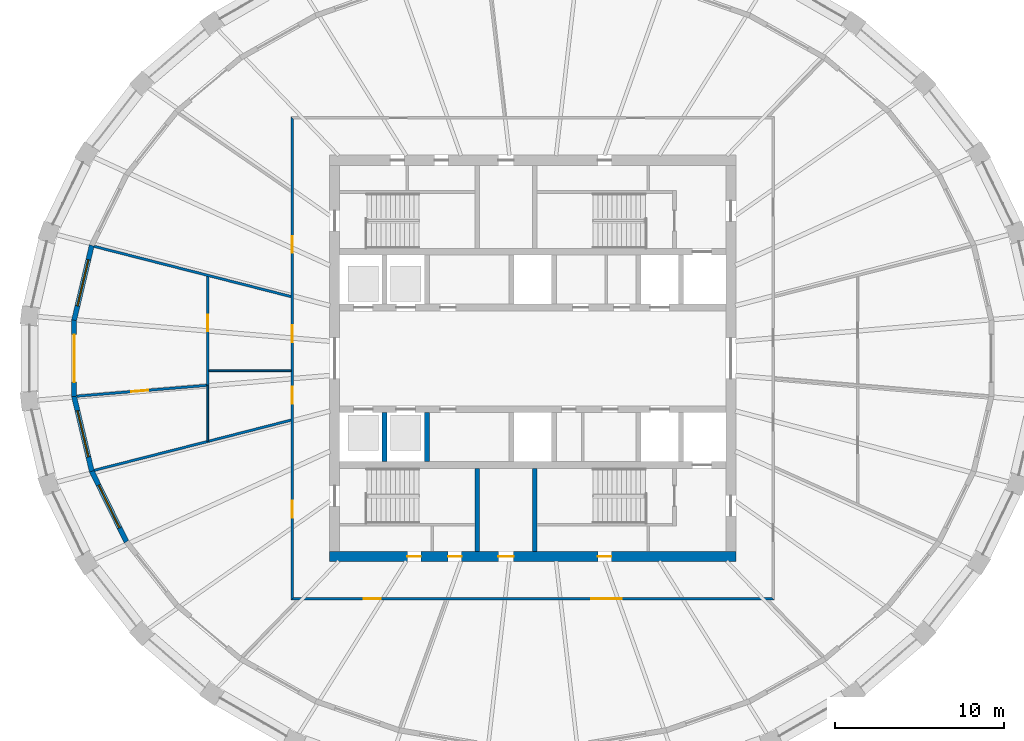
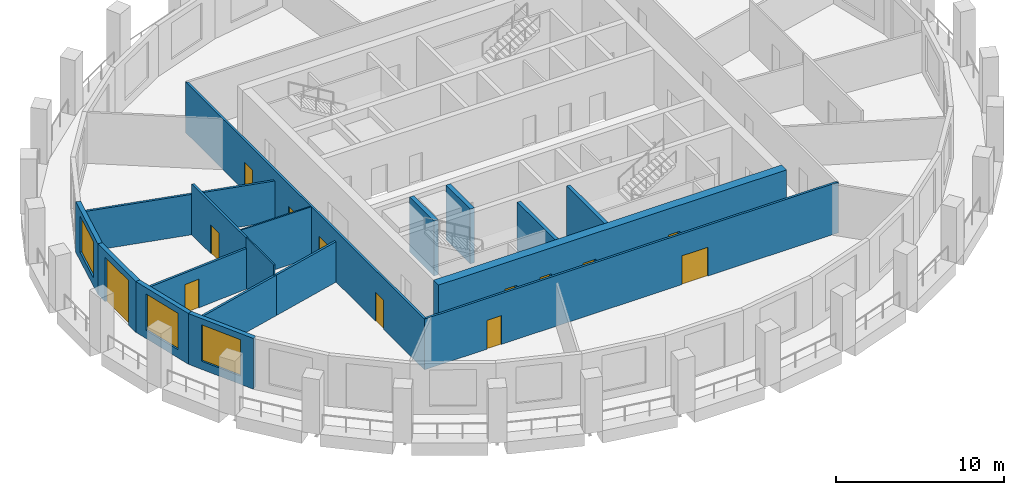
# One storey, part 3 of 10: 18 walls, 13 doors, 3 windows, 16 openings.
"""IFC4 building model written with IfcOpenShell, lengths in metres."""

from ifc_helpers import new_model, si_unit, direction, frame, frame_2d, origin, place, context, subcontext, project, spatial, polyline, rectangle, outline, extrude, material, layer, layer_set, type_object, element, fill, save


model = new_model("IFC4")

# Units and contexts
model_context = context("Model", 3, precision=1e-05, world=origin(), true_north=direction((0.0, 1.0)))
body_context = subcontext(model_context, "Body", "Model", "MODEL_VIEW")
ifc_project = project(units=[si_unit("LENGTHUNIT", "METRE"), si_unit("AREAUNIT", "SQUARE_METRE"), si_unit("VOLUMEUNIT", "CUBIC_METRE"), si_unit("PLANEANGLEUNIT", "RADIAN"), si_unit("MASSUNIT", "GRAM", prefix="KILO")], contexts=[model_context])

# Site, building, storey
site_placement = place(None, origin())
site = spatial("IfcSite", under=ifc_project, at=site_placement, CompositionType="ELEMENT")
building_placement = place(site_placement, origin())
building = spatial("IfcBuilding", under=site, at=building_placement, Name="Halqa Exchange Tower", CompositionType="ELEMENT")
storey_placement = place(building_placement, frame((0.0, 0.0, 268.300048828125)))
storey = spatial("IfcBuildingStorey", under=building, at=storey_placement, Name="L62", CompositionType="ELEMENT", Elevation=268.300048828125)

# Wall, opening, door
ifc_material_1 = material(Name="Gypsum board")
ifc_layer_1 = layer(ifc_material_1, 0.14990234375)
ifc_layer_set_1 = layer_set([ifc_layer_1], Name="Gypsum board")
wall_type_1 = type_object("IfcWallType", Name="Acoustic partition 150", PredefinedType="PARTITIONING", material=ifc_layer_set_1)
wall_1_placement = place(storey_placement, frame((-19.25634765625, -1.5947265625, 0.0), z_axis=(0.0, 0.0, 1.0), x_axis=(-0.996545321007, -0.083050726542, 0.0)))
wall_1 = element("IfcWall", 1, at=wall_1_placement, inside=storey, type_object=wall_type_1, Name="L62-PWL-005", PredefinedType="PARTITIONING", context=body_context, shape_type="SweptSolid", body=[
    extrude(outline(polyline([(7.701904296875, -0.074951171875), (7.701904296875, 0.043212890625), (7.697265625, 0.074951171875), (5.77294921875, 0.074951171875), (3.8486328125, 0.074951171875), (1.92431640625, 0.074951171875), (0.0, 0.074951171875), (0.0, -0.004638671875), (0.018310546875, -0.00634765625), (0.012451171875, -0.074951171875), (1.934814453125, -0.074951171875), (3.857177734375, -0.074951171875), (5.779541015625, -0.074951171875), (7.701904296875, -0.074951171875)])), origin(), (0.0, 0.0, 1.0), 2.947021484375),
])
opening_1_placement = place(wall_1_placement, frame((3.477294921875, 0.0, 0.0)))
opening_1 = element("IfcOpeningElement", 2, at=opening_1_placement, cuts=wall_1, Name="Opening 19-14", PredefinedType="OPENING", context=body_context, shape_type="SweptSolid", body=[
    extrude(rectangle(XDim=1.0, YDim=2.10009765625, at=frame_2d((0.5, 1.050048828125))), frame((0.0, 0.0869140625, 0.0), z_axis=(0.0, -1.0, 0.0), x_axis=(1.0, 0.0, 0.0)), (0.0, 0.0, 1.0), 0.173828125),
])
ifc_material_2 = material(Name="Timber door leaf", Category="wood")
door_type_1 = type_object("IfcDoorType", Name="Acoustic door 1000 x 2100", OperationType="SINGLE_SWING_LEFT", PredefinedType="DOOR", material=ifc_material_2)
door_1_placement = place(opening_1_placement, origin())
door_1 = element("IfcDoor", 3, at=door_1_placement, inside=storey, type_object=door_type_1, Name="L62-IDR-014", OperationType="SINGLE_SWING_LEFT", OverallHeight=2.10009765625, OverallWidth=1.0, PredefinedType="DOOR", context=body_context, shape_type="SweptSolid", body=[
    extrude(rectangle(XDim=1.0, YDim=2.10009765625, at=frame_2d((0.5, 1.050048828125))), frame((0.0, 0.02490234375, 0.0), z_axis=(0.0, -1.0, 0.0), x_axis=(1.0, 0.0, 0.0)), (0.0, 0.0, 1.0), 0.050048828125),
])
fill(opening_1, door_1)

wall_2_placement = place(storey_placement, frame((-19.199951171875, -1.590087890625, 0.0), z_axis=(0.0, 0.0, 1.0), x_axis=(0.0, 1.0, 0.0)))
wall_2 = element("IfcWall", 4, at=wall_2_placement, inside=storey, type_object=wall_type_1, Name="L62-PWL-006", PredefinedType="PARTITIONING", context=body_context, shape_type="SweptSolid", body=[
    extrude(outline(polyline([(0.0, -0.074951171875), (0.81005859375, -0.074951171875), (0.91015625, -0.074951171875), (2.739501953125, -0.074951171875), (4.569091796875, -0.074951171875), (6.398681640625, -0.074951171875), (6.4365234375, 0.07373046875), (6.4365234375, 0.074951171875), (4.8447265625, 0.074951171875), (3.252685546875, 0.074951171875), (1.660888671875, 0.074951171875), (0.069091796875, 0.074951171875), (0.070068359375, 0.0625), (0.0, 0.056640625), (0.0, 0.050048828125), (0.0, 0.050048828125), (0.0, -0.050048828125), (0.0, -0.050048828125), (0.0, -0.074951171875)])), origin(), (0.0, 0.0, 1.0), 3.699951171875),
])
opening_2_placement = place(wall_2_placement, frame((3.179931640625, 0.0, 0.0)))
opening_2 = element("IfcOpeningElement", 5, at=opening_2_placement, cuts=wall_2, Name="Opening 19-13", PredefinedType="OPENING", context=body_context, shape_type="SweptSolid", body=[
    extrude(rectangle(XDim=1.0, YDim=2.10009765625, at=frame_2d((0.5, 1.050048828125))), frame((0.0, 0.0869140625, 0.0), z_axis=(0.0, -1.0, 0.0), x_axis=(1.0, 0.0, 0.0)), (0.0, 0.0, 1.0), 0.173828125),
])
door_2_placement = place(opening_2_placement, frame((1.0, 0.0, 0.0), z_axis=(0.0, 0.0, 1.0), x_axis=(-1.0, 0.0, 0.0)))
door_2 = element("IfcDoor", 6, at=door_2_placement, inside=storey, type_object=door_type_1, Name="L62-IDR-013", OperationType="SINGLE_SWING_RIGHT", OverallHeight=2.10009765625, OverallWidth=1.0, PredefinedType="DOOR", context=body_context, shape_type="SweptSolid", body=[
    extrude(rectangle(XDim=1.0, YDim=2.10009765625, at=frame_2d((0.5, 1.050048828125))), frame((0.0, 0.02490234375, 0.0), z_axis=(0.0, -1.0, 0.0), x_axis=(1.0, 0.0, 0.0)), (0.0, 0.0, 1.0), 0.050048828125),
])
fill(opening_2, door_2)

# Walls
ifc_material_3 = material(Name="Fire-rated gypsum board")
ifc_layer_2 = layer(ifc_material_3, 0.14990234375)
ifc_layer_set_2 = layer_set([ifc_layer_2], Name="Fire-rated gypsum board")
wall_type_2 = type_object("IfcWallType", Name="Fire partition EI 60 150", PredefinedType="PARTITIONING", material=ifc_layer_set_2)
wall_3_placement = place(storey_placement, frame((-25.90234375, -6.6142578125, 0.0), z_axis=(0.0, 0.0, 1.0), x_axis=(0.969153959709, 0.246456086108, 0.0)))
element("IfcWall", 7, at=wall_3_placement, inside=storey, type_object=wall_type_2, Name="L62-PWL-001", PredefinedType="PARTITIONING", context=body_context, shape_type="SweptSolid", body=[
    extrude(outline(polyline([(0.01318359375, -0.074951171875), (1.75634765625, -0.074951171875), (3.49951171875, -0.074951171875), (5.24267578125, -0.074951171875), (6.98583984375, -0.074951171875), (6.985595703125, 0.07177734375), (6.966552734375, -0.002685546875), (6.86962890625, 0.02197265625), (6.883056640625, 0.074951171875), (5.162353515625, 0.074951171875), (3.441650390625, 0.074951171875), (1.720703125, 0.074951171875), (0.0, 0.074951171875), (0.0, -0.011962890625), (0.01318359375, -0.074951171875)])), origin(), (0.0, 0.0, 1.0), 2.947021484375),
])
wall_4_placement = place(storey_placement, frame((-25.90234375, 6.6142578125, 0.0), z_axis=(0.0, 0.0, 1.0), x_axis=(0.968990601513, -0.247097580277, 0.0)))
element("IfcWall", 8, at=wall_4_placement, inside=storey, type_object=wall_type_2, Name="L62-PWL-002", PredefinedType="PARTITIONING", context=body_context, shape_type="SweptSolid", body=[
    extrude(outline(polyline([(0.0, -0.074951171875), (1.751953125, -0.074951171875), (3.50390625, -0.074951171875), (5.255859375, -0.074951171875), (7.0078125, -0.074951171875), (7.012939453125, -0.07373046875), (7.013427734375, -0.074951171875), (8.681640625, -0.074951171875), (10.35009765625, -0.074951171875), (12.0185546875, -0.074951171875), (11.980224609375, 0.074951171875), (9.98583984375, 0.074951171875), (7.9912109375, 0.074951171875), (5.996826171875, 0.074951171875), (4.002197265625, 0.074951171875), (2.0078125, 0.074951171875), (0.01318359375, 0.074951171875), (0.0, 0.011962890625), (0.0, -0.074951171875)])), origin(), (0.0, 0.0, 1.0), 2.947021484375),
])
wall_5_placement = place(storey_placement, frame((-19.132080078125, -4.892578125, 0.0), z_axis=(0.0, 0.0, 1.0), x_axis=(0.968763144659, 0.247987841537, 0.0)))
element("IfcWall", 9, at=wall_5_placement, inside=storey, type_object=wall_type_2, Name="L62-PWL-003", PredefinedType="PARTITIONING", context=body_context, shape_type="SweptSolid", body=[
    extrude(outline(polyline([(0.0, -0.074951171875), (1.664794921875, -0.074951171875), (3.32958984375, -0.074951171875), (4.994384765625, -0.074951171875), (5.03271484375, 0.07421875), (5.03271484375, 0.074951171875), (3.35546875, 0.074951171875), (1.677978515625, 0.074951171875), (0.000732421875, 0.074951171875), (0.0, 0.072265625), (0.0, -0.074951171875)])), origin(), (0.0, 0.0, 1.0), 2.947021484375),
])

# Wall, openings, doors
wall_6_placement = place(storey_placement, frame((-14.199951171875, -14.27490234375, 0.0), z_axis=(0.0, 0.0, 1.0), x_axis=(0.0, 1.0, 0.0)))
wall_6 = element("IfcWall", 10, at=wall_6_placement, inside=storey, type_object=wall_type_2, Name="L62-PWL-008", PredefinedType="PARTITIONING", context=body_context, shape_type="SweptSolid", body=[
    extrude(outline(polyline([(0.14990234375, -0.074951171875), (2.033203125, -0.074951171875), (3.91650390625, -0.074951171875), (5.7998046875, -0.074951171875), (7.683349609375, -0.074951171875), (9.566650390625, -0.074951171875), (11.449951171875, -0.074951171875), (13.333251953125, -0.074951171875), (15.216552734375, -0.074951171875), (17.099853515625, -0.074951171875), (18.983154296875, -0.074951171875), (20.866455078125, -0.074951171875), (22.75, -0.074951171875), (24.63330078125, -0.074951171875), (26.5166015625, -0.074951171875), (28.39990234375, -0.074951171875), (28.5498046875, 0.074951171875), (28.5498046875, 0.074951171875), (26.646484375, 0.074951171875), (24.7431640625, 0.074951171875), (22.83984375, 0.074951171875), (20.9365234375, 0.074951171875), (19.033203125, 0.074951171875), (17.1298828125, 0.074951171875), (15.2265625, 0.074951171875), (13.3232421875, 0.074951171875), (11.419921875, 0.074951171875), (9.5166015625, 0.074951171875), (7.61328125, 0.074951171875), (5.7099609375, 0.074951171875), (3.806640625, 0.074951171875), (1.9033203125, 0.074951171875), (0.0, 0.074951171875), (0.14990234375, -0.074951171875)])), origin(), (0.0, 0.0, 1.0), 3.699951171875),
])
opening_3_placement = place(wall_6_placement, frame((20.5, 0.0, 0.0)))
opening_3 = element("IfcOpeningElement", 11, at=opening_3_placement, cuts=wall_6, Name="Opening 19-02", PredefinedType="OPENING", context=body_context, shape_type="SweptSolid", body=[
    extrude(rectangle(XDim=1.0, YDim=2.10009765625, at=frame_2d((0.5, 1.050048828125))), frame((0.0, 0.0869140625, 0.0), z_axis=(0.0, -1.0, 0.0), x_axis=(1.0, 0.0, 0.0)), (0.0, 0.0, 1.0), 0.173828125),
])
opening_4_placement = place(wall_6_placement, frame((11.594970703125, 0.0, 0.0)))
opening_4 = element("IfcOpeningElement", 12, at=opening_4_placement, cuts=wall_6, Name="Opening 19-03", PredefinedType="OPENING", context=body_context, shape_type="SweptSolid", body=[
    extrude(rectangle(XDim=1.0, YDim=2.10009765625, at=frame_2d((0.5, 1.050048828125))), frame((0.0, 0.0869140625, 0.0), z_axis=(0.0, -1.0, 0.0), x_axis=(1.0, 0.0, 0.0)), (0.0, 0.0, 1.0), 0.173828125),
])
opening_5_placement = place(wall_6_placement, frame((15.22509765625, 0.0, 0.0)))
opening_5 = element("IfcOpeningElement", 13, at=opening_5_placement, cuts=wall_6, Name="Opening 19-04", PredefinedType="OPENING", context=body_context, shape_type="SweptSolid", body=[
    extrude(rectangle(XDim=1.0, YDim=2.10009765625, at=frame_2d((0.5, 1.050048828125))), frame((0.0, 0.0869140625, 0.0), z_axis=(0.0, -1.0, 0.0), x_axis=(1.0, 0.0, 0.0)), (0.0, 0.0, 1.0), 0.173828125),
])
opening_6_placement = place(wall_6_placement, frame((4.860107421875, 0.0, 0.0)))
opening_6 = element("IfcOpeningElement", 14, at=opening_6_placement, cuts=wall_6, Name="Opening 19-05", PredefinedType="OPENING", context=body_context, shape_type="SweptSolid", body=[
    extrude(rectangle(XDim=1.0, YDim=2.10009765625, at=frame_2d((0.5, 1.050048828125))), frame((0.0, 0.0869140625, 0.0), z_axis=(0.0, -1.0, 0.0), x_axis=(1.0, 0.0, 0.0)), (0.0, 0.0, 1.0), 0.173828125),
])
ifc_material_4 = material(Name="Steel fire door leaf", Category="steel")
door_type_2 = type_object("IfcDoorType", Name="Fire door FD30S 1000 x 2100", OperationType="SINGLE_SWING_LEFT", PredefinedType="DOOR", material=ifc_material_4)
door_3_placement = place(opening_3_placement, origin())
door_3 = element("IfcDoor", 15, at=door_3_placement, inside=storey, type_object=door_type_2, Name="L62-IDR-002", OperationType="SINGLE_SWING_RIGHT", OverallHeight=2.10009765625, OverallWidth=1.0, PredefinedType="DOOR", context=body_context, shape_type="SweptSolid", body=[
    extrude(rectangle(XDim=1.0, YDim=2.10009765625, at=frame_2d((0.5, 1.050048828125))), frame((0.0, 0.02490234375, 0.0), z_axis=(0.0, -1.0, 0.0), x_axis=(1.0, 0.0, 0.0)), (0.0, 0.0, 1.0), 0.050048828125),
])
fill(opening_3, door_3)
door_4_placement = place(opening_4_placement, origin())
door_4 = element("IfcDoor", 16, at=door_4_placement, inside=storey, type_object=door_type_2, Name="L62-IDR-003", OperationType="SINGLE_SWING_RIGHT", OverallHeight=2.10009765625, OverallWidth=1.0, PredefinedType="DOOR", context=body_context, shape_type="SweptSolid", body=[
    extrude(rectangle(XDim=1.0, YDim=2.10009765625, at=frame_2d((0.5, 1.050048828125))), frame((0.0, 0.02490234375, 0.0), z_axis=(0.0, -1.0, 0.0), x_axis=(1.0, 0.0, 0.0)), (0.0, 0.0, 1.0), 0.050048828125),
])
fill(opening_4, door_4)
door_5_placement = place(opening_5_placement, origin())
door_5 = element("IfcDoor", 17, at=door_5_placement, inside=storey, type_object=door_type_2, Name="L62-IDR-004", OperationType="SINGLE_SWING_LEFT", OverallHeight=2.10009765625, OverallWidth=1.0, PredefinedType="DOOR", context=body_context, shape_type="SweptSolid", body=[
    extrude(rectangle(XDim=1.0, YDim=2.10009765625, at=frame_2d((0.5, 1.050048828125))), frame((0.0, 0.02490234375, 0.0), z_axis=(0.0, -1.0, 0.0), x_axis=(1.0, 0.0, 0.0)), (0.0, 0.0, 1.0), 0.050048828125),
])
fill(opening_5, door_5)
door_6_placement = place(opening_6_placement, origin())
door_6 = element("IfcDoor", 18, at=door_6_placement, inside=storey, type_object=door_type_2, Name="L62-IDR-005", OperationType="SINGLE_SWING_LEFT", OverallHeight=2.10009765625, OverallWidth=1.0, PredefinedType="DOOR", context=body_context, shape_type="SweptSolid", body=[
    extrude(rectangle(XDim=1.0, YDim=2.10009765625, at=frame_2d((0.5, 1.050048828125))), frame((0.0, 0.02490234375, 0.0), z_axis=(0.0, -1.0, 0.0), x_axis=(1.0, 0.0, 0.0)), (0.0, 0.0, 1.0), 0.050048828125),
])
fill(opening_6, door_6)

wall_7_placement = place(storey_placement, frame((-14.27490234375, -14.199951171875, 0.0), z_axis=(0.0, 0.0, 1.0), x_axis=(1.0, 0.0, 0.0)))
wall_7 = element("IfcWall", 19, at=wall_7_placement, inside=storey, type_object=wall_type_2, Name="L62-PWL-009", PredefinedType="PARTITIONING", context=body_context, shape_type="SweptSolid", body=[
    extrude(outline(polyline([(28.5498046875, -0.074951171875), (28.5498046875, -0.074951171875), (28.39990234375, 0.074951171875), (26.5166015625, 0.074951171875), (24.63330078125, 0.074951171875), (22.75, 0.074951171875), (20.866455078125, 0.074951171875), (18.983154296875, 0.074951171875), (17.099853515625, 0.074951171875), (15.216552734375, 0.074951171875), (13.333251953125, 0.074951171875), (11.449951171875, 0.074951171875), (9.566650390625, 0.074951171875), (7.683349609375, 0.074951171875), (5.7998046875, 0.074951171875), (3.91650390625, 0.074951171875), (2.033203125, 0.074951171875), (0.14990234375, 0.074951171875), (0.0, -0.074951171875), (1.9033203125, -0.074951171875), (3.806640625, -0.074951171875), (5.7099609375, -0.074951171875), (7.61328125, -0.074951171875), (9.5166015625, -0.074951171875), (11.419921875, -0.074951171875), (13.3232421875, -0.074951171875), (15.2265625, -0.074951171875), (17.1298828125, -0.074951171875), (19.033203125, -0.074951171875), (20.9365234375, -0.074951171875), (22.83984375, -0.074951171875), (24.7431640625, -0.074951171875), (26.646484375, -0.074951171875), (28.5498046875, -0.074951171875)])), origin(), (0.0, 0.0, 1.0), 3.699951171875),
])
opening_7_placement = place(wall_7_placement, frame((4.304931640625, 0.0, 0.0)))
opening_7 = element("IfcOpeningElement", 20, at=opening_7_placement, cuts=wall_7, Name="Opening 19-06", PredefinedType="OPENING", context=body_context, shape_type="SweptSolid", body=[
    extrude(rectangle(XDim=1.0, YDim=2.10009765625, at=frame_2d((0.5, 1.050048828125))), frame((0.0, 0.0869140625, 0.0), z_axis=(0.0, -1.0, 0.0), x_axis=(1.0, 0.0, 0.0)), (0.0, 0.0, 1.0), 0.173828125),
])
opening_8_placement = place(wall_7_placement, frame((17.735107421875, 0.0, 0.0)))
opening_8 = element("IfcOpeningElement", 21, at=opening_8_placement, cuts=wall_7, Name="Opening 19-07", PredefinedType="OPENING", context=body_context, shape_type="SweptSolid", body=[
    extrude(rectangle(XDim=1.800048828125, YDim=2.10009765625, at=frame_2d((0.89990234375, 1.050048828125))), frame((0.0, 0.0869140625, 0.0), z_axis=(0.0, -1.0, 0.0), x_axis=(1.0, 0.0, 0.0)), (0.0, 0.0, 1.0), 0.173828125),
])
door_7_placement = place(opening_7_placement, frame((1.0, 0.0, 0.0), z_axis=(0.0, 0.0, 1.0), x_axis=(-1.0, 0.0, 0.0)))
door_7 = element("IfcDoor", 22, at=door_7_placement, inside=storey, type_object=door_type_2, Name="L62-IDR-006", OperationType="SINGLE_SWING_RIGHT", OverallHeight=2.10009765625, OverallWidth=1.0, PredefinedType="DOOR", context=body_context, shape_type="SweptSolid", body=[
    extrude(rectangle(XDim=1.0, YDim=2.10009765625, at=frame_2d((0.5, 1.050048828125))), frame((0.0, 0.02490234375, 0.0), z_axis=(0.0, -1.0, 0.0), x_axis=(1.0, 0.0, 0.0)), (0.0, 0.0, 1.0), 0.050048828125),
])
fill(opening_7, door_7)
door_type_3 = type_object("IfcDoorType", Name="Fire door FD30S double 1800 x 2100", OperationType="DOUBLE_DOOR_SINGLE_SWING", PredefinedType="DOOR", material=ifc_material_4)
door_8_placement = place(opening_8_placement, frame((1.800048828125, 0.0, 0.0), z_axis=(0.0, 0.0, 1.0), x_axis=(-1.0, 0.0, 0.0)))
door_8 = element("IfcDoor", 23, at=door_8_placement, inside=storey, type_object=door_type_3, Name="L62-IDR-007", OperationType="DOUBLE_DOOR_SINGLE_SWING", OverallHeight=2.10009765625, OverallWidth=1.800048828125, PredefinedType="DOOR", context=body_context, shape_type="SweptSolid", body=[
    extrude(rectangle(XDim=1.800048828125, YDim=2.10009765625, at=frame_2d((0.89990234375, 1.050048828125))), frame((0.0, 0.02490234375, 0.0), z_axis=(0.0, -1.0, 0.0), x_axis=(1.0, 0.0, 0.0)), (0.0, 0.0, 1.0), 0.050048828125),
])
fill(opening_8, door_8)

# Walls
ifc_layer_3 = layer(ifc_material_1, 0.10009765625)
ifc_layer_set_3 = layer_set([ifc_layer_3], Name="Gypsum board")
wall_type_3 = type_object("IfcWallType", Name="Partition 100 gypsum", PredefinedType="PARTITIONING", material=ifc_layer_set_3)
wall_8_placement = place(storey_placement, frame((-19.199951171875, -4.89990234375, 0.0), z_axis=(0.0, 0.0, 1.0), x_axis=(0.0, 1.0, 0.0)))
element("IfcWall", 24, at=wall_8_placement, inside=storey, type_object=wall_type_3, Name="L62-PWL-004", PredefinedType="PARTITIONING", context=body_context, shape_type="SweptSolid", body=[
    extrude(rectangle(XDim=3.309814453125, YDim=0.10009765625, at=frame_2d((1.65478515625, 0.0))), origin(), (0.0, 0.0, 1.0), 3.699951171875),
])
wall_9_placement = place(storey_placement, frame((-19.125, -0.72998046875, 0.0), z_axis=(0.0, 0.0, 1.0), x_axis=(1.0, 0.0, 0.0)))
element("IfcWall", 25, at=wall_9_placement, inside=storey, type_object=wall_type_3, Name="L62-PWL-007", PredefinedType="PARTITIONING", context=body_context, shape_type="SweptSolid", body=[
    extrude(rectangle(XDim=4.85009765625, YDim=0.10009765625, at=frame_2d((2.425048828125, 0.0))), origin(), (0.0, 0.0, 1.0), 3.699951171875),
])
ifc_material_5 = material(Name="Concrete C60/75", Category="concrete")
ifc_layer_4 = layer(ifc_material_5, 0.300048828125)
ifc_layer_set_4 = layer_set([ifc_layer_4], Name="Concrete C60/75")
wall_type_4 = type_object("IfcWallType", Name="RC core wall 300", PredefinedType="SHEAR", material=ifc_layer_set_4)
for number, where, z_axis, x_axis, name in (
    (26, (-8.75, -6.10009765625, 0.0), (0.0, 0.0, 1.0), (0.0, 1.0, 0.0), "Shaft divider S1"),
    (27, (-6.25, -6.10009765625, 0.0), (0.0, 0.0, 1.0), (0.0, 1.0, 0.0), "Shaft divider S2"),
):
    element("IfcWall", number, at=place(storey_placement, frame(where, z_axis=z_axis, x_axis=x_axis)), inside=storey, type_object=wall_type_4, Name=name, PredefinedType="SHEAR", context=body_context, shape_type="SweptSolid", body=[
        extrude(rectangle(XDim=2.900146484375, YDim=0.300048828125, at=frame_2d((1.4501953125, 0.0))), origin(), (0.0, 0.0, 1.0), 4.0),
    ])

# Wall, openings, doors
ifc_layer_5 = layer(ifc_material_5, 0.60009765625)
ifc_layer_set_5 = layer_set([ifc_layer_5], Name="Concrete C60/75")
wall_type_5 = type_object("IfcWallType", Name="RC core wall 600 C60/75", PredefinedType="SHEAR", material=ifc_layer_set_5)
wall_10_placement = place(storey_placement, frame((-12.0, -11.699951171875, 0.0), z_axis=(0.0, 0.0, 1.0), x_axis=(1.0, 0.0, 0.0)))
wall_10 = element("IfcWall", 28, at=wall_10_placement, inside=storey, type_object=wall_type_5, Name="Core wall south", PredefinedType="SHEAR", context=body_context, shape_type="SweptSolid", body=[
    extrude(rectangle(XDim=24.0, YDim=0.60009765625, at=frame_2d((12.0, 0.0))), origin(), (0.0, 0.0, 1.0), 4.0),
])
opening_9_placement = place(wall_10_placement, frame((9.97509765625, 0.0, 0.0)))
opening_9 = element("IfcOpeningElement", 29, at=opening_9_placement, cuts=wall_10, Name="Opening T19-C21", PredefinedType="OPENING", context=body_context, shape_type="SweptSolid", body=[
    extrude(rectangle(XDim=0.89990234375, YDim=2.10009765625, at=frame_2d((0.449951171875, 1.050048828125))), frame((0.0, 0.31201171875, 0.0), z_axis=(0.0, -1.0, 0.0), x_axis=(1.0, 0.0, 0.0)), (0.0, 0.0, 1.0), 0.6240234375),
])
opening_10_placement = place(wall_10_placement, frame((4.60009765625, 0.0, 0.0)))
opening_10 = element("IfcOpeningElement", 30, at=opening_10_placement, cuts=wall_10, Name="Opening T19-C22", PredefinedType="OPENING", context=body_context, shape_type="SweptSolid", body=[
    extrude(rectangle(XDim=0.800048828125, YDim=2.10009765625, at=frame_2d((0.39990234375, 1.050048828125))), frame((0.0, 0.31201171875, 0.0), z_axis=(0.0, -1.0, 0.0), x_axis=(1.0, 0.0, 0.0)), (0.0, 0.0, 1.0), 0.6240234375),
])
opening_11_placement = place(wall_10_placement, frame((7.0, 0.0, 0.0)))
opening_11 = element("IfcOpeningElement", 31, at=opening_11_placement, cuts=wall_10, Name="Opening T19-C23", PredefinedType="OPENING", context=body_context, shape_type="SweptSolid", body=[
    extrude(rectangle(XDim=0.800048828125, YDim=2.10009765625, at=frame_2d((0.39990234375, 1.050048828125))), frame((0.0, 0.31201171875, 0.0), z_axis=(0.0, -1.0, 0.0), x_axis=(1.0, 0.0, 0.0)), (0.0, 0.0, 1.0), 0.6240234375),
])
opening_12_placement = place(wall_10_placement, frame((15.85009765625, 0.0, 0.0)))
opening_12 = element("IfcOpeningElement", 32, at=opening_12_placement, cuts=wall_10, Name="Opening T19-C24", PredefinedType="OPENING", context=body_context, shape_type="SweptSolid", body=[
    extrude(rectangle(XDim=0.800048828125, YDim=2.10009765625, at=frame_2d((0.39990234375, 1.050048828125))), frame((0.0, 0.31201171875, 0.0), z_axis=(0.0, -1.0, 0.0), x_axis=(1.0, 0.0, 0.0)), (0.0, 0.0, 1.0), 0.6240234375),
])
ifc_material_6 = material(Name="Timber fire door leaf", Category="wood")
door_type_4 = type_object("IfcDoorType", Name="Core room door FD30 900 x 2100", OperationType="SINGLE_SWING_LEFT", PredefinedType="DOOR", material=ifc_material_6)
door_9_placement = place(opening_9_placement, origin())
door_9 = element("IfcDoor", 33, at=door_9_placement, inside=storey, type_object=door_type_4, Name="Core room door", OperationType="SINGLE_SWING_RIGHT", OverallHeight=2.10009765625, OverallWidth=0.89990234375, PredefinedType="DOOR", context=body_context, shape_type="SweptSolid", body=[
    extrude(rectangle(XDim=0.89990234375, YDim=2.10009765625, at=frame_2d((0.449951171875, 1.050048828125))), frame((0.0, 0.02490234375, 0.0), z_axis=(0.0, -1.0, 0.0), x_axis=(1.0, 0.0, 0.0)), (0.0, 0.0, 1.0), 0.050048828125),
])
fill(opening_9, door_9)
door_type_5 = type_object("IfcDoorType", Name="Riser door FD60 800 x 2100", OperationType="SINGLE_SWING_LEFT", PredefinedType="DOOR", material=ifc_material_4)
door_10_placement = place(opening_10_placement, origin())
door_10 = element("IfcDoor", 34, at=door_10_placement, inside=storey, type_object=door_type_5, Name="Core room door", OperationType="SINGLE_SWING_LEFT", OverallHeight=2.10009765625, OverallWidth=0.800048828125, PredefinedType="DOOR", context=body_context, shape_type="SweptSolid", body=[
    extrude(rectangle(XDim=0.800048828125, YDim=2.10009765625, at=frame_2d((0.39990234375, 1.050048828125))), frame((0.0, 0.02490234375, 0.0), z_axis=(0.0, -1.0, 0.0), x_axis=(1.0, 0.0, 0.0)), (0.0, 0.0, 1.0), 0.050048828125),
])
fill(opening_10, door_10)
door_11_placement = place(opening_11_placement, origin())
door_11 = element("IfcDoor", 35, at=door_11_placement, inside=storey, type_object=door_type_5, Name="Core room door", OperationType="SINGLE_SWING_RIGHT", OverallHeight=2.10009765625, OverallWidth=0.800048828125, PredefinedType="DOOR", context=body_context, shape_type="SweptSolid", body=[
    extrude(rectangle(XDim=0.800048828125, YDim=2.10009765625, at=frame_2d((0.39990234375, 1.050048828125))), frame((0.0, 0.02490234375, 0.0), z_axis=(0.0, -1.0, 0.0), x_axis=(1.0, 0.0, 0.0)), (0.0, 0.0, 1.0), 0.050048828125),
])
fill(opening_11, door_11)
door_12_placement = place(opening_12_placement, origin())
door_12 = element("IfcDoor", 36, at=door_12_placement, inside=storey, type_object=door_type_5, Name="Core room door", OperationType="SINGLE_SWING_LEFT", OverallHeight=2.10009765625, OverallWidth=0.800048828125, PredefinedType="DOOR", context=body_context, shape_type="SweptSolid", body=[
    extrude(rectangle(XDim=0.800048828125, YDim=2.10009765625, at=frame_2d((0.39990234375, 1.050048828125))), frame((0.0, 0.02490234375, 0.0), z_axis=(0.0, -1.0, 0.0), x_axis=(1.0, 0.0, 0.0)), (0.0, 0.0, 1.0), 0.050048828125),
])
fill(opening_12, door_12)

# Walls
ifc_material_7 = material(Name="Concrete C30/37", Category="concrete")
ifc_layer_6 = layer(ifc_material_7, 0.25)
ifc_layer_set_6 = layer_set([ifc_layer_6], Name="Concrete C30/37")
wall_type_6 = type_object("IfcWallType", Name="RC stair wall 250 C30/37", PredefinedType="SHEAR", material=ifc_layer_set_6)
for number, where, z_axis, x_axis, name in (
    (37, (-3.27490234375, -11.39990234375, 0.0), (0.0, 0.0, 1.0), (0.0, 1.0, 0.0), "Stair ST1 east wall S"),
    (38, (0.125, -11.39990234375, 0.0), (0.0, 0.0, 1.0), (0.0, 1.0, 0.0), "Stair ST2 west wall S"),
):
    element("IfcWall", number, at=place(storey_placement, frame(where, z_axis=z_axis, x_axis=x_axis)), inside=storey, type_object=wall_type_6, Name=name, PredefinedType="SHEAR", context=body_context, shape_type="SweptSolid", body=[
        extrude(rectangle(XDim=4.89990234375, YDim=0.25, at=frame_2d((2.449951171875, 0.0))), origin(), (0.0, 0.0, 1.0), 3.699951171875),
    ])

# Wall, opening, window
ifc_material_8 = material(Name="Limestone cladding", Category="masonry")
ifc_layer_7 = layer(ifc_material_8, 0.0400390625)
ifc_material_9 = material(Name="Ventilated cavity")
ifc_layer_8 = layer(ifc_material_9, 0.030029296875, ventilated=True)
ifc_material_10 = material(Name="Mineral wool insulation")
ifc_layer_9 = layer(ifc_material_10, 0.10009765625)
ifc_layer_10 = layer(ifc_material_7, 0.10009765625)
ifc_material_11 = material(Name="Internal plaster")
ifc_layer_11 = layer(ifc_material_11, 0.030029296875)
ifc_layer_set_7 = layer_set([ifc_layer_7, ifc_layer_8, ifc_layer_9, ifc_layer_10, ifc_layer_11], Name="Stone-faced insulated wall 300")
wall_type_7 = type_object("IfcWallType", Name="Stone-faced insulated wall 300", PredefinedType="STANDARD", material=ifc_layer_set_7)
wall_11_placement = place(storey_placement, frame((-26.044921875, 6.669921875, 0.0), z_axis=(0.0, 0.0, 1.0), x_axis=(-0.22983372436, -0.973229910734, 0.0)))
wall_11 = element("IfcWall", 39, at=wall_11_placement, inside=storey, type_object=wall_type_7, Name="Glass-line wall 15", PredefinedType="STANDARD", context=body_context, shape_type="SweptSolid", body=[
    extrude(outline(polyline([(-0.016845703125, -0.14990234375), (4.556640625, -0.14990234375), (4.521484375, 0.14990234375), (0.016845703125, 0.14990234375), (-0.016845703125, -0.14990234375)])), origin(), (0.0, 0.0, 1.0), 3.699951171875),
])
opening_13_placement = place(wall_11_placement, frame((0.869384765625, 0.0, 0.60009765625)))
opening_13 = element("IfcOpeningElement", 40, at=opening_13_placement, cuts=wall_11, Name="Opening W-F4-15", PredefinedType="OPENING", context=body_context, shape_type="SweptSolid", body=[
    extrude(rectangle(XDim=2.800048828125, YDim=2.64990234375, at=frame_2d((1.39990234375, 1.324951171875))), frame((0.0, 0.162109375, 0.0), z_axis=(0.0, -1.0, 0.0), x_axis=(1.0, 0.0, 0.0)), (0.0, 0.0, 1.0), 0.323974609375),
])
ifc_material_12 = material(Name="Clear low-emissivity glass in aluminium frame", Category="aluminium")
window_type = type_object("IfcWindowType", Name="Fixed clear glazed window 2800 x 2650", PartitioningType="DOUBLE_PANEL_VERTICAL", PredefinedType="WINDOW", material=ifc_material_12)
window_1_placement = place(opening_13_placement, origin())
window_1 = element("IfcWindow", 41, at=window_1_placement, inside=storey, type_object=window_type, Name="Window 4", OverallHeight=2.64990234375, OverallWidth=2.800048828125, PartitioningType="DOUBLE_PANEL_VERTICAL", PredefinedType="WINDOW", context=body_context, shape_type="SweptSolid", body=[
    extrude(rectangle(XDim=2.800048828125, YDim=2.64990234375, at=frame_2d((1.39990234375, 1.324951171875))), frame((0.0, 0.030029296875, 0.0), z_axis=(0.0, -1.0, 0.0), x_axis=(1.0, 0.0, 0.0)), (0.0, 0.0, 1.0), 0.06005859375),
])
fill(opening_13, window_1)

# Wall, opening, door
wall_12_placement = place(storey_placement, frame((-27.088134765625, 2.25244140625, 0.0), z_axis=(0.0, 0.0, 1.0), x_axis=(0.0, -1.0, 0.0)))
wall_12 = element("IfcWall", 42, at=wall_12_placement, inside=storey, type_object=wall_type_7, Name="Glass-line wall 16", PredefinedType="STANDARD", context=body_context, shape_type="SweptSolid", body=[
    extrude(outline(polyline([(-0.017578125, -0.14990234375), (4.5224609375, -0.14990234375), (4.4873046875, 0.14990234375), (0.017578125, 0.14990234375), (-0.017578125, -0.14990234375)])), origin(), (0.0, 0.0, 1.0), 3.699951171875),
])
opening_14_placement = place(wall_12_placement, frame((0.852294921875, 0.0, 0.0)))
opening_14 = element("IfcOpeningElement", 43, at=opening_14_placement, cuts=wall_12, Name="Opening LG-F4-04", PredefinedType="OPENING", context=body_context, shape_type="SweptSolid", body=[
    extrude(rectangle(XDim=2.800048828125, YDim=3.25, at=frame_2d((1.39990234375, 1.625))), frame((0.0, 0.162109375, 0.0), z_axis=(0.0, -1.0, 0.0), x_axis=(1.0, 0.0, 0.0)), (0.0, 0.0, 1.0), 0.323974609375),
])
door_type_6 = type_object("IfcDoorType", Name="Glazed sliding loggia door 2800 x 3250", OperationType="DOUBLE_DOOR_SLIDING", PredefinedType="DOOR", material=ifc_material_12)
door_13_placement = place(opening_14_placement, origin())
door_13 = element("IfcDoor", 44, at=door_13_placement, inside=storey, type_object=door_type_6, Name="Loggia door 4", OperationType="DOUBLE_DOOR_SLIDING", OverallHeight=3.25, OverallWidth=2.800048828125, PredefinedType="DOOR", context=body_context, shape_type="SweptSolid", body=[
    extrude(rectangle(XDim=2.800048828125, YDim=3.25, at=frame_2d((1.39990234375, 1.625))), frame((0.0, 0.02490234375, 0.0), z_axis=(0.0, -1.0, 0.0), x_axis=(1.0, 0.0, 0.0)), (0.0, 0.0, 1.0), 0.050048828125),
])
fill(opening_14, door_13)

# Wall, opening, window
wall_13_placement = place(storey_placement, frame((-27.088134765625, -2.25244140625, 0.0), z_axis=(0.0, 0.0, 1.0), x_axis=(0.22983372436, -0.973229910734, 0.0)))
wall_13 = element("IfcWall", 45, at=wall_13_placement, inside=storey, type_object=wall_type_7, Name="Glass-line wall 17", PredefinedType="STANDARD", context=body_context, shape_type="SweptSolid", body=[
    extrude(outline(polyline([(-0.017578125, -0.14990234375), (4.555908203125, -0.14990234375), (4.522216796875, 0.14990234375), (0.017578125, 0.14990234375), (-0.017578125, -0.14990234375)])), origin(), (0.0, 0.0, 1.0), 3.699951171875),
])
opening_15_placement = place(wall_13_placement, frame((0.869384765625, 0.0, 0.60009765625)))
opening_15 = element("IfcOpeningElement", 46, at=opening_15_placement, cuts=wall_13, Name="Opening W-F4-17", PredefinedType="OPENING", context=body_context, shape_type="SweptSolid", body=[
    extrude(rectangle(XDim=2.800048828125, YDim=2.64990234375, at=frame_2d((1.39990234375, 1.324951171875))), frame((0.0, 0.162109375, 0.0), z_axis=(0.0, -1.0, 0.0), x_axis=(1.0, 0.0, 0.0)), (0.0, 0.0, 1.0), 0.323974609375),
])
window_2_placement = place(opening_15_placement, origin())
window_2 = element("IfcWindow", 47, at=window_2_placement, inside=storey, type_object=window_type, Name="Window 4", OverallHeight=2.64990234375, OverallWidth=2.800048828125, PartitioningType="DOUBLE_PANEL_VERTICAL", PredefinedType="WINDOW", context=body_context, shape_type="SweptSolid", body=[
    extrude(rectangle(XDim=2.800048828125, YDim=2.64990234375, at=frame_2d((1.39990234375, 1.324951171875))), frame((0.0, 0.030029296875, 0.0), z_axis=(0.0, -1.0, 0.0), x_axis=(1.0, 0.0, 0.0)), (0.0, 0.0, 1.0), 0.06005859375),
])
fill(opening_15, window_2)

wall_14_placement = place(storey_placement, frame((-26.044921875, -6.669921875, 0.0), z_axis=(0.0, 0.0, 1.0), x_axis=(0.441261940724, -0.897378348117, 0.0)))
wall_14 = element("IfcWall", 48, at=wall_14_placement, inside=storey, type_object=wall_type_7, Name="Glass-line wall 18", PredefinedType="STANDARD", context=body_context, shape_type="SweptSolid", body=[
    extrude(outline(polyline([(-0.016845703125, -0.14990234375), (4.65087890625, -0.14990234375), (4.61865234375, 0.14990234375), (0.016845703125, 0.14990234375), (-0.016845703125, -0.14990234375)])), origin(), (0.0, 0.0, 1.0), 3.699951171875),
])
opening_16_placement = place(wall_14_placement, frame((0.91748046875, 0.0, 0.60009765625)))
opening_16 = element("IfcOpeningElement", 49, at=opening_16_placement, cuts=wall_14, Name="Opening W-F4-18", PredefinedType="OPENING", context=body_context, shape_type="SweptSolid", body=[
    extrude(rectangle(XDim=2.800048828125, YDim=2.64990234375, at=frame_2d((1.39990234375, 1.324951171875))), frame((0.0, 0.162109375, 0.0), z_axis=(0.0, -1.0, 0.0), x_axis=(1.0, 0.0, 0.0)), (0.0, 0.0, 1.0), 0.323974609375),
])
window_3_placement = place(opening_16_placement, origin())
window_3 = element("IfcWindow", 50, at=window_3_placement, inside=storey, type_object=window_type, Name="Window 4", OverallHeight=2.64990234375, OverallWidth=2.800048828125, PartitioningType="DOUBLE_PANEL_VERTICAL", PredefinedType="WINDOW", context=body_context, shape_type="SweptSolid", body=[
    extrude(rectangle(XDim=2.800048828125, YDim=2.64990234375, at=frame_2d((1.39990234375, 1.324951171875))), frame((0.0, 0.030029296875, 0.0), z_axis=(0.0, -1.0, 0.0), x_axis=(1.0, 0.0, 0.0)), (0.0, 0.0, 1.0), 0.06005859375),
])
fill(opening_16, window_3)

save(model, "model.ifc")
